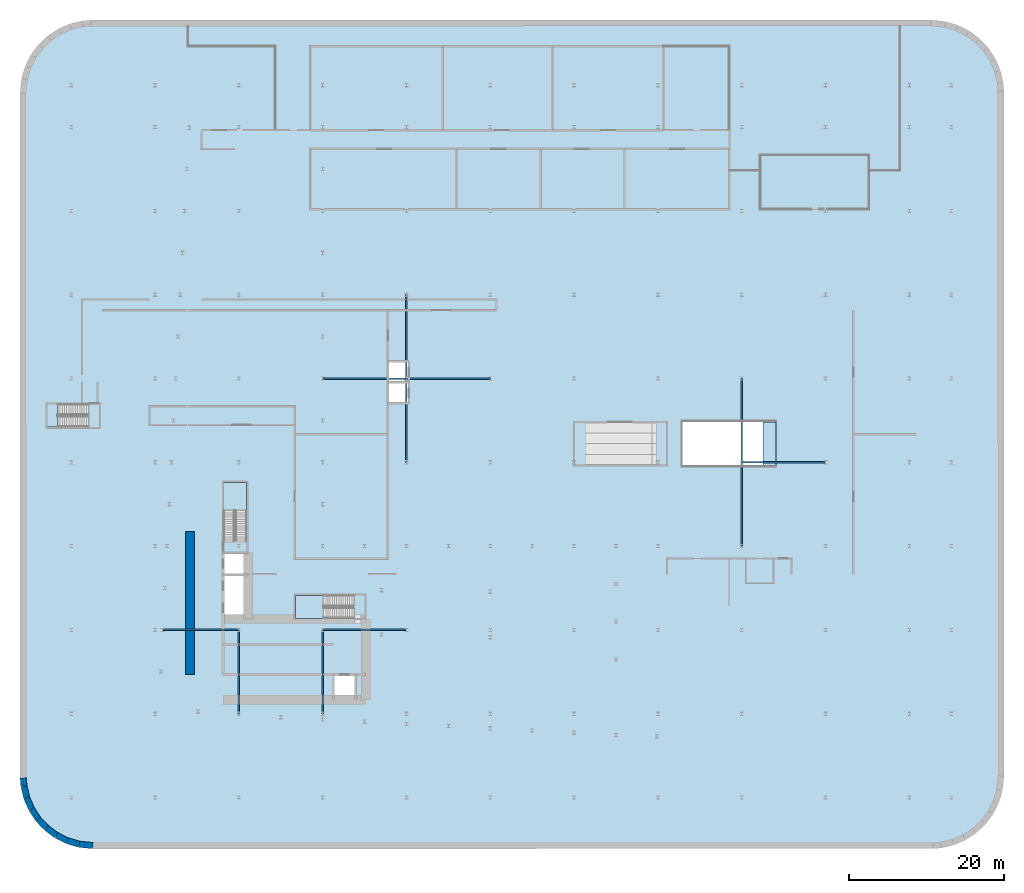
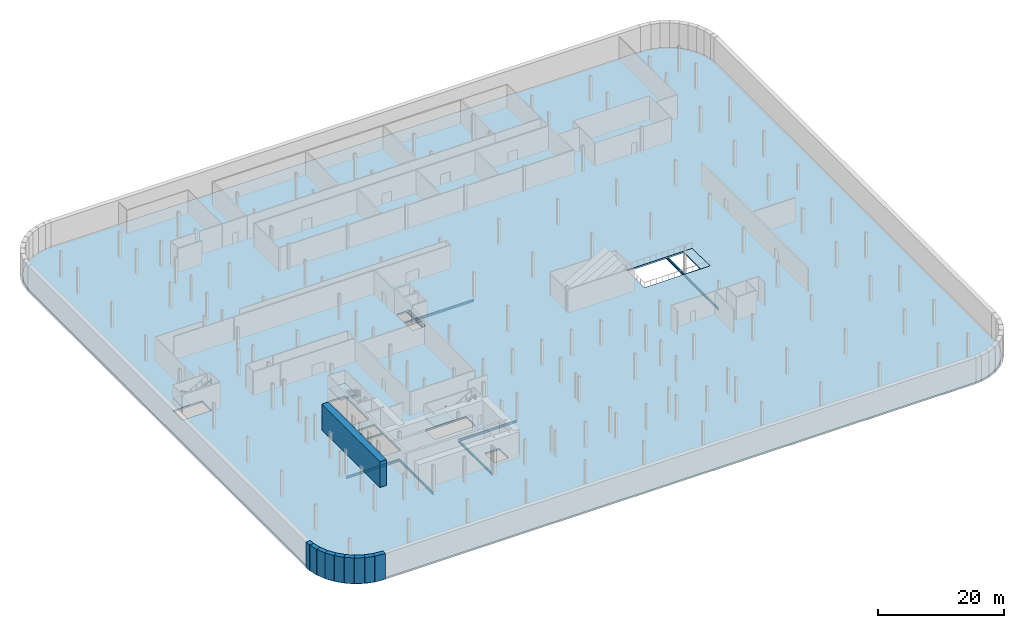
# One storey, part 5 of 19: 11 beams, 10 walls, 5 slabs, 3 elements without a shape of their own.
"""IFC4 building model written with IfcOpenShell, lengths in metres."""

from ifc_helpers import new_model, si_unit, direction, frame, frame_2d, origin, origin_2d, place, context, subcontext, project, spatial, polyline, rectangle, i_section, outline, extrude, material, layer, layer_set, material_profile, profile_set, type_object, element, aggregate, save


model = new_model("IFC4")

# Units and contexts
model_context = context("Model", 3, precision=1e-05, world=origin(), true_north=direction((0.0, 1.0)))
body_context = subcontext(model_context, "Body", "Model", "MODEL_VIEW")
ifc_project = project(units=[si_unit("LENGTHUNIT", "METRE"), si_unit("AREAUNIT", "SQUARE_METRE"), si_unit("VOLUMEUNIT", "CUBIC_METRE"), si_unit("PLANEANGLEUNIT", "RADIAN"), si_unit("MASSUNIT", "GRAM", prefix="KILO")], contexts=[model_context])

# Site, building, storey
site_placement = place(None, origin())
site = spatial("IfcSite", under=ifc_project, at=site_placement, CompositionType="ELEMENT")
building_placement = place(site_placement, origin())
building = spatial("IfcBuilding", under=site, at=building_placement, Name="Kheshtan School and Residences Tower", CompositionType="ELEMENT")
storey_placement = place(building_placement, frame((0.0, 0.0, -10.0)))
storey = spatial("IfcBuildingStorey", under=building, at=storey_placement, Name="B2", CompositionType="ELEMENT", Elevation=-10.0)

# Beams
ifc_material_1 = material(Name="Steel ASTM A992 Grade 50", Category="steel")
ifc_material_profile = material_profile(ifc_material_1, i_section(OverallWidth=0.194091796875, OverallDepth=0.468994140625, WebThickness=0.0126953125, FlangeThickness=0.0205078125, FilletRadius=0.01416015625, at=origin_2d()), Name="W460x106")
ifc_profile_set = profile_set([ifc_material_profile], Name="Steel ASTM A992 Grade 50")
beam_type = type_object("IfcBeamType", Name="Beam PB2 W460x106 ASTM A992 Grade 50", PredefinedType="BEAM", material=ifc_profile_set)
for number, where, z_axis, x_axis, name in (
    (1, (36.800048828125, 24.0, -0.554443359375), (0.0, 1.0, 0.0), (-1.0, 0.0, 0.0), "Podium floor beam PB2"),
    (2, (47.60009765625, 24.0, -0.554443359375), (0.0, 1.0, 0.0), (-1.0, 0.0, 0.0), "Podium floor beam PB2"),
    (3, (58.39990234375, 56.39990234375, -0.554443359375), (0.0, 1.0, 0.0), (-1.0, 0.0, 0.0), "Podium floor beam PB2"),
    (4, (58.39990234375, 67.199951171875, -0.554443359375), (0.0, 1.0, 0.0), (-1.0, 0.0, 0.0), "Podium floor beam PB2"),
):
    element("IfcBeam", number, at=place(storey_placement, frame(where, z_axis=z_axis, x_axis=x_axis)), inside=storey, type_object=beam_type, Name=name, PredefinedType="BEAM", context=body_context, shape_type="SweptSolid", body=[
        extrude(i_section(OverallWidth=0.194091796875, OverallDepth=0.468994140625, WebThickness=0.0126953125, FlangeThickness=0.0205078125, FilletRadius=0.01416015625, at=origin_2d()), origin(), (0.0, 0.0, 1.0), 10.800048828125),
    ])
beam_1_placement = place(storey_placement, frame((101.60009765625, 45.60009765625, -0.554443359375), z_axis=(0.0, 1.0, 0.0), x_axis=(-1.0, 0.0, 0.0)))
element("IfcBeam", 5, at=beam_1_placement, inside=storey, type_object=beam_type, Name="Podium floor beam PB2", PredefinedType="BEAM", context=body_context, shape_type="SweptSolid", body=[
    extrude(i_section(OverallWidth=0.194091796875, OverallDepth=0.468994140625, WebThickness=0.0126953125, FlangeThickness=0.0205078125, FilletRadius=0.01416015625, at=origin_2d()), origin(), (0.0, 0.0, 1.0), 10.7998046875),
])
beam_2_placement = place(storey_placement, frame((101.60009765625, 56.39990234375, -0.554443359375), z_axis=(0.0, 1.0, 0.0), x_axis=(-1.0, 0.0, 0.0)))
element("IfcBeam", 6, at=beam_2_placement, inside=storey, type_object=beam_type, Name="Podium floor beam PB2", PredefinedType="BEAM", context=body_context, shape_type="SweptSolid", body=[
    extrude(i_section(OverallWidth=0.194091796875, OverallDepth=0.468994140625, WebThickness=0.0126953125, FlangeThickness=0.0205078125, FilletRadius=0.01416015625, at=origin_2d()), origin(), (0.0, 0.0, 1.0), 10.800048828125),
])
beam_3_placement = place(storey_placement, frame((26.969970703125, 34.800048828125, -0.554443359375), z_axis=(1.0, 0.0, 0.0), x_axis=(0.0, 1.0, 0.0)))
element("IfcBeam", 7, at=beam_3_placement, inside=storey, type_object=beam_type, Name="Podium floor beam PB2", PredefinedType="BEAM", context=body_context, shape_type="SweptSolid", body=[
    extrude(i_section(OverallWidth=0.194091796875, OverallDepth=0.468994140625, WebThickness=0.0126953125, FlangeThickness=0.0205078125, FilletRadius=0.01416015625, at=origin_2d()), origin(), (0.0, 0.0, 1.0), 9.830078125),
])
for number, where, z_axis, x_axis, name in (
    (8, (47.60009765625, 34.800048828125, -0.554443359375), (1.0, 0.0, 0.0), (0.0, 1.0, 0.0), "Podium floor beam PB2"),
    (9, (101.60009765625, 56.39990234375, -0.554443359375), (1.0, 0.0, 0.0), (0.0, 1.0, 0.0), "Podium floor beam PB2"),
    (10, (47.60009765625, 67.199951171875, -0.554443359375), (1.0, 0.0, 0.0), (0.0, 1.0, 0.0), "Podium floor beam PB2"),
):
    element("IfcBeam", number, at=place(storey_placement, frame(where, z_axis=z_axis, x_axis=x_axis)), inside=storey, type_object=beam_type, Name=name, PredefinedType="BEAM", context=body_context, shape_type="SweptSolid", body=[
        extrude(i_section(OverallWidth=0.194091796875, OverallDepth=0.468994140625, WebThickness=0.0126953125, FlangeThickness=0.0205078125, FilletRadius=0.01416015625, at=origin_2d()), origin(), (0.0, 0.0, 1.0), 10.7998046875),
    ])
beam_4_placement = place(storey_placement, frame((58.39990234375, 67.199951171875, -0.554443359375), z_axis=(1.0, 0.0, 0.0), x_axis=(0.0, 1.0, 0.0)))
element("IfcBeam", 11, at=beam_4_placement, inside=storey, type_object=beam_type, Name="Podium floor beam PB2", PredefinedType="BEAM", context=body_context, shape_type="SweptSolid", body=[
    extrude(i_section(OverallWidth=0.194091796875, OverallDepth=0.468994140625, WebThickness=0.0126953125, FlangeThickness=0.0205078125, FilletRadius=0.01416015625, at=origin_2d()), origin(), (0.0, 0.0, 1.0), 10.800048828125),
])

# Slabs
ifc_material_2 = material(Name="Concrete C40/50", Category="concrete")
ifc_layer_1 = layer(ifc_material_2, 0.199951171875)
ifc_layer_set_1 = layer_set([ifc_layer_1], Name="Escalator landing plate 200 Concrete C40/50")
slab_type_1 = type_object("IfcSlabType", Name="Escalator landing plate 200 Concrete C40/50", PredefinedType="LANDING", material=ifc_layer_set_1)
slab_1_placement = place(storey_placement, frame((0.0, 0.0, -0.199951171875)))
element("IfcSlab", 12, at=slab_1_placement, inside=storey, type_object=slab_type_1, Name="Escalator landing plate B2", PredefinedType="LANDING", context=body_context, shape_type="SweptSolid", body=[
    extrude(outline(polyline([(104.330078125, 56.0), (106.0, 56.0), (106.0, 61.60009765625), (104.330078125, 61.60009765625), (104.330078125, 56.0)])), origin(), (0.0, 0.0, 1.0), 0.199951171875),
])
ifc_layer_2 = layer(ifc_material_2, 0.320068359375)
ifc_layer_set_2 = layer_set([ifc_layer_2], Name="Floor slab 320 Concrete C40/50")
slab_type_2 = type_object("IfcSlabType", Name="Floor slab 320 Concrete C40/50", PredefinedType="FLOOR", material=ifc_layer_set_2)
slab_2_placement = place(storey_placement, frame((0.0, 0.0, -0.320068359375)))
element("IfcSlab", 13, at=slab_2_placement, inside=storey, type_object=slab_type_2, Name="Floor slab B2", PredefinedType="FLOOR", context=body_context, shape_type="SweptSolid", body=[
    extrude(outline(polyline([(9.464111328125, 106.8291015625), (9.64306640625, 107.320068359375), (10.0849609375, 108.26806640625), (10.345947265625, 108.720947265625), (10.946044921875, 109.577880859375), (11.282958984375, 109.97802734375), (12.02197265625, 110.717041015625), (12.422119140625, 111.053955078125), (13.279052734375, 111.654052734375), (13.73193359375, 111.9150390625), (14.679931640625, 112.35693359375), (15.1708984375, 112.535888671875), (16.180908203125, 112.806884765625), (16.697021484375, 112.89794921875), (17.739013671875, 112.989013671875), (18.0, 113.0), (126.0, 113.0), (126.260986328125, 112.989013671875), (127.302978515625, 112.89794921875), (127.819091796875, 112.806884765625), (128.8291015625, 112.535888671875), (129.320068359375, 112.35693359375), (130.26806640625, 111.9150390625), (130.720947265625, 111.654052734375), (131.577880859375, 111.053955078125), (131.97802734375, 110.717041015625), (132.717041015625, 109.97802734375), (133.053955078125, 109.577880859375), (133.654052734375, 108.720947265625), (133.9150390625, 108.26806640625), (134.35693359375, 107.320068359375), (134.535888671875, 106.8291015625), (134.806884765625, 105.819091796875), (134.89794921875, 105.302978515625), (134.989013671875, 104.260986328125), (135.0, 104.0), (135.0, 16.0), (134.989013671875, 15.739013671875), (134.89794921875, 14.697021484375), (134.806884765625, 14.180908203125), (134.535888671875, 13.1708984375), (134.35693359375, 12.679931640625), (133.9150390625, 11.73193359375), (133.654052734375, 11.279052734375), (133.053955078125, 10.422119140625), (132.717041015625, 10.02197265625), (131.97802734375, 9.282958984375), (131.577880859375, 8.946044921875), (130.720947265625, 8.345947265625), (130.26806640625, 8.0849609375), (129.320068359375, 7.64306640625), (128.8291015625, 7.464111328125), (127.819091796875, 7.193115234375), (127.302978515625, 7.10205078125), (126.260986328125, 7.010986328125), (126.0, 7.0), (18.0, 7.0), (17.739013671875, 7.010986328125), (16.697021484375, 7.10205078125), (16.180908203125, 7.193115234375), (15.1708984375, 7.464111328125), (14.679931640625, 7.64306640625), (13.73193359375, 8.0849609375), (13.279052734375, 8.345947265625), (12.422119140625, 8.946044921875), (12.02197265625, 9.282958984375), (11.282958984375, 10.02197265625), (10.946044921875, 10.422119140625), (10.345947265625, 11.279052734375), (10.0849609375, 11.73193359375), (9.64306640625, 12.679931640625), (9.464111328125, 13.1708984375), (9.193115234375, 14.180908203125), (9.10205078125, 14.697021484375), (9.010986328125, 15.739013671875), (9.0, 16.0), (9.0, 104.0), (9.010986328125, 104.260986328125), (9.10205078125, 105.302978515625), (9.193115234375, 105.819091796875), (9.464111328125, 106.8291015625)]), holes=[polyline([(51.72509765625, 28.925048828125), (49.125, 28.925048828125), (49.125, 25.925048828125), (51.72509765625, 25.925048828125), (51.72509765625, 28.925048828125)]), polyline([(51.64990234375, 37.699951171875), (51.64990234375, 39.25), (44.090087890625, 39.25), (44.090087890625, 36.300048828125), (51.639892578125, 36.300048828125), (51.639892578125, 37.699951171875), (51.64990234375, 37.699951171875)]), polyline([(37.875, 41.77490234375), (34.875, 41.77490234375), (34.875, 36.324951171875), (37.875, 36.324951171875), (37.875, 41.77490234375)]), polyline([(37.875, 44.625), (34.875, 44.625), (34.875, 42.02490234375), (37.875, 42.02490234375), (37.875, 44.625)]), polyline([(37.800048828125, 53.81005859375), (34.85009765625, 53.81005859375), (34.85009765625, 46.260009765625), (36.25, 46.260009765625), (36.25, 46.25), (37.800048828125, 46.25), (37.800048828125, 53.81005859375)]), polyline([(106.0, 61.60009765625), (94.0, 61.60009765625), (94.0, 56.0), (106.0, 56.0), (106.0, 61.60009765625)]), polyline([(12.10009765625, 63.89990234375), (12.10009765625, 60.949951171875), (17.409912109375, 60.949951171875), (17.409912109375, 62.35009765625), (17.419921875, 62.35009765625), (17.419921875, 63.89990234375), (12.10009765625, 63.89990234375)]), polyline([(58.574951171875, 64.125), (58.574951171875, 66.574951171875), (56.125, 66.574951171875), (56.125, 64.125), (58.574951171875, 64.125)]), polyline([(58.574951171875, 66.824951171875), (58.574951171875, 69.27490234375), (56.125, 69.27490234375), (56.125, 66.824951171875), (58.574951171875, 66.824951171875)])]), origin(), (0.0, 0.0, 1.0), 0.320068359375),
])

# Stair, slab
stair_type = type_object("IfcStairType", Name="Exit stair, half-turn", PredefinedType="HALF_TURN_STAIR", material=ifc_material_2)
stair_1_placement = place(storey_placement, origin())
stair_1 = element("IfcStair", 14, at=stair_1_placement, inside=storey, type_object=stair_type, Name="B2 Protected Exit Stair ST1", PredefinedType="HALF_TURN_STAIR")
ifc_layer_3 = layer(ifc_material_2, 0.199951171875)
ifc_layer_set_3 = layer_set([ifc_layer_3], Name="Stair landing 200 Concrete C40/50")
slab_type_3 = type_object("IfcSlabType", Name="Stair landing 200 Concrete C40/50", PredefinedType="LANDING", material=ifc_layer_set_3)
slab_3_placement = place(storey_placement, frame((0.0, 0.0, 2.300048828125)))
slab_3 = element("IfcSlab", 15, at=slab_3_placement, type_object=slab_type_3, Name="ST1 landing 1", PredefinedType="LANDING", context=body_context, shape_type="SweptSolid", body=[
    extrude(outline(polyline([(47.72998046875, 39.25), (44.090087890625, 39.25), (44.090087890625, 36.300048828125), (47.72998046875, 36.300048828125), (47.72998046875, 39.25)])), origin(), (0.0, 0.0, 1.0), 0.199951171875),
])
aggregate(stair_1, [slab_3])

stair_2_placement = place(storey_placement, origin())
stair_2 = element("IfcStair", 16, at=stair_2_placement, inside=storey, type_object=stair_type, Name="B2 Protected Exit Stair ST2", PredefinedType="HALF_TURN_STAIR")
slab_4_placement = place(storey_placement, frame((0.0, 0.0, 2.300048828125)))
slab_4 = element("IfcSlab", 17, at=slab_4_placement, type_object=slab_type_3, Name="ST2 landing 1", PredefinedType="LANDING", context=body_context, shape_type="SweptSolid", body=[
    extrude(outline(polyline([(37.800048828125, 50.169921875), (37.800048828125, 53.81005859375), (34.85009765625, 53.81005859375), (34.85009765625, 50.169921875), (37.800048828125, 50.169921875)])), origin(), (0.0, 0.0, 1.0), 0.199951171875),
])
aggregate(stair_2, [slab_4])

stair_3_placement = place(storey_placement, origin())
stair_3 = element("IfcStair", 18, at=stair_3_placement, inside=storey, type_object=stair_type, Name="B2 Station Stair west", PredefinedType="HALF_TURN_STAIR")
slab_5_placement = place(storey_placement, frame((0.0, 0.0, 2.300048828125)))
slab_5 = element("IfcSlab", 19, at=slab_5_placement, type_object=slab_type_3, Name="SS-west landing 1", PredefinedType="LANDING", context=body_context, shape_type="SweptSolid", body=[
    extrude(outline(polyline([(13.5, 63.89990234375), (12.10009765625, 63.89990234375), (12.10009765625, 60.949951171875), (13.5, 60.949951171875), (13.5, 63.89990234375)])), origin(), (0.0, 0.0, 1.0), 0.199951171875),
])
aggregate(stair_3, [slab_5])

# Walls
ifc_material_3 = material(Name="Concrete C35/45", Category="concrete")
ifc_layer_4 = layer(ifc_material_3, 0.800048828125)
ifc_layer_set_4 = layer_set([ifc_layer_4], Name="Basement wall 800 Concrete C35/45")
wall_type_1 = type_object("IfcWallType", Name="Basement wall 800 Concrete C35/45", PredefinedType="SOLIDWALL", material=ifc_layer_set_4)
wall_1_placement = place(storey_placement, frame((18.0, 7.0, 0.0), z_axis=(0.0, 0.0, 1.0), x_axis=(-0.994412187849, 0.105567043429, 0.0)))
element("IfcWall", 20, at=wall_1_placement, inside=storey, type_object=wall_type_1, Name="Secant pile wall 31", PredefinedType="SOLIDWALL", context=body_context, shape_type="SweptSolid", body=[
    extrude(rectangle(XDim=1.829345703125, YDim=0.800048828125, at=frame_2d((0.91455078125, 0.0))), origin(), (0.0, 0.0, 1.0), 5.0),
])
wall_2_placement = place(storey_placement, frame((16.180908203125, 7.193115234375, 0.0), z_axis=(0.0, 0.0, 1.0), x_axis=(-0.957886299092, 0.287147763375, 0.0)))
element("IfcWall", 21, at=wall_2_placement, inside=storey, type_object=wall_type_1, Name="Secant pile wall 32", PredefinedType="SOLIDWALL", context=body_context, shape_type="SweptSolid", body=[
    extrude(rectangle(XDim=1.56689453125, YDim=0.800048828125, at=frame_2d((0.783447265625, 0.0))), origin(), (0.0, 0.0, 1.0), 5.0),
])
wall_3_placement = place(storey_placement, frame((14.679931640625, 7.64306640625, 0.0), z_axis=(0.0, 0.0, 1.0), x_axis=(-0.893803246399, 0.448459314462, 0.0)))
element("IfcWall", 22, at=wall_3_placement, inside=storey, type_object=wall_type_1, Name="Secant pile wall 33", PredefinedType="SOLIDWALL", context=body_context, shape_type="SweptSolid", body=[
    extrude(rectangle(XDim=1.5673828125, YDim=0.800048828125, at=frame_2d((0.78369140625, 0.0))), origin(), (0.0, 0.0, 1.0), 5.0),
])
wall_4_placement = place(storey_placement, frame((13.279052734375, 8.345947265625, 0.0), z_axis=(0.0, 0.0, 1.0), x_axis=(-0.801771638905, 0.597630520512, 0.0)))
element("IfcWall", 23, at=wall_4_placement, inside=storey, type_object=wall_type_1, Name="Secant pile wall 34", PredefinedType="SOLIDWALL", context=body_context, shape_type="SweptSolid", body=[
    extrude(rectangle(XDim=1.56787109375, YDim=0.800048828125, at=frame_2d((0.783935546875, 0.0))), origin(), (0.0, 0.0, 1.0), 5.0),
])
wall_5_placement = place(storey_placement, frame((12.02197265625, 9.282958984375, 0.0), z_axis=(0.0, 0.0, 1.0), x_axis=(-0.686641833089, 0.726995868662, 0.0)))
element("IfcWall", 24, at=wall_5_placement, inside=storey, type_object=wall_type_1, Name="Secant pile wall 35", PredefinedType="SOLIDWALL", context=body_context, shape_type="SweptSolid", body=[
    extrude(rectangle(XDim=1.56689453125, YDim=0.800048828125, at=frame_2d((0.783447265625, 0.0))), origin(), (0.0, 0.0, 1.0), 5.0),
])
wall_6_placement = place(storey_placement, frame((10.946044921875, 10.422119140625, 0.0), z_axis=(0.0, 0.0, 1.0), x_axis=(-0.549333272834, 0.835603348101, 0.0)))
element("IfcWall", 25, at=wall_6_placement, inside=storey, type_object=wall_type_1, Name="Secant pile wall 36", PredefinedType="SOLIDWALL", context=body_context, shape_type="SweptSolid", body=[
    extrude(rectangle(XDim=1.567626953125, YDim=0.800048828125, at=frame_2d((0.78369140625, 0.0))), origin(), (0.0, 0.0, 1.0), 5.0),
])
wall_7_placement = place(storey_placement, frame((10.0849609375, 11.73193359375, 0.0), z_axis=(0.0, 0.0, 1.0), x_axis=(-0.396155493925, 0.918183437355, 0.0)))
element("IfcWall", 26, at=wall_7_placement, inside=storey, type_object=wall_type_1, Name="Secant pile wall 37", PredefinedType="SOLIDWALL", context=body_context, shape_type="SweptSolid", body=[
    extrude(rectangle(XDim=1.567138671875, YDim=0.800048828125, at=frame_2d((0.78369140625, 0.0))), origin(), (0.0, 0.0, 1.0), 5.0),
])
wall_8_placement = place(storey_placement, frame((9.464111328125, 13.1708984375, 0.0), z_axis=(0.0, 0.0, 1.0), x_axis=(-0.230834833469, 0.972992949439, 0.0)))
element("IfcWall", 27, at=wall_8_placement, inside=storey, type_object=wall_type_1, Name="Secant pile wall 38", PredefinedType="SOLIDWALL", context=body_context, shape_type="SweptSolid", body=[
    extrude(rectangle(XDim=1.568603515625, YDim=0.800048828125, at=frame_2d((0.7841796875, 0.0))), origin(), (0.0, 0.0, 1.0), 5.0),
])
wall_9_placement = place(storey_placement, frame((9.10205078125, 14.697021484375, 0.0), z_axis=(0.0, 0.0, 1.0), x_axis=(-0.087062712427, 0.996202832813, 0.0)))
element("IfcWall", 28, at=wall_9_placement, inside=storey, type_object=wall_type_1, Name="Secant pile wall 39", PredefinedType="SOLIDWALL", context=body_context, shape_type="SweptSolid", body=[
    extrude(rectangle(XDim=1.0458984375, YDim=0.800048828125, at=frame_2d((0.52294921875, 0.0))), origin(), (0.0, 0.0, 1.0), 5.0),
])
ifc_material_4 = material(Name="Concrete C80/95", Category="concrete")
ifc_layer_5 = layer(ifc_material_4, 1.199951171875)
ifc_layer_set_5 = layer_set([ifc_layer_5], Name="Core wall 1200 Concrete C80/95")
wall_type_2 = type_object("IfcWallType", Name="Core wall 1200 Concrete C80/95", PredefinedType="SHEAR", material=ifc_layer_set_5)
wall_10_placement = place(storey_placement, frame((30.5, 29.050048828125, 0.0), z_axis=(0.0, 0.0, 1.0), x_axis=(0.0, 1.0, 0.0)))
element("IfcWall", 29, at=wall_10_placement, inside=storey, type_object=wall_type_2, Name="Core wall CW-REAR-W", PredefinedType="SHEAR", context=body_context, shape_type="SweptSolid", body=[
    extrude(rectangle(XDim=18.449951171875, YDim=1.199951171875, at=frame_2d((9.22509765625, 0.0))), origin(), (0.0, 0.0, 1.0), 5.0),
])

save(model, "model.ifc")
